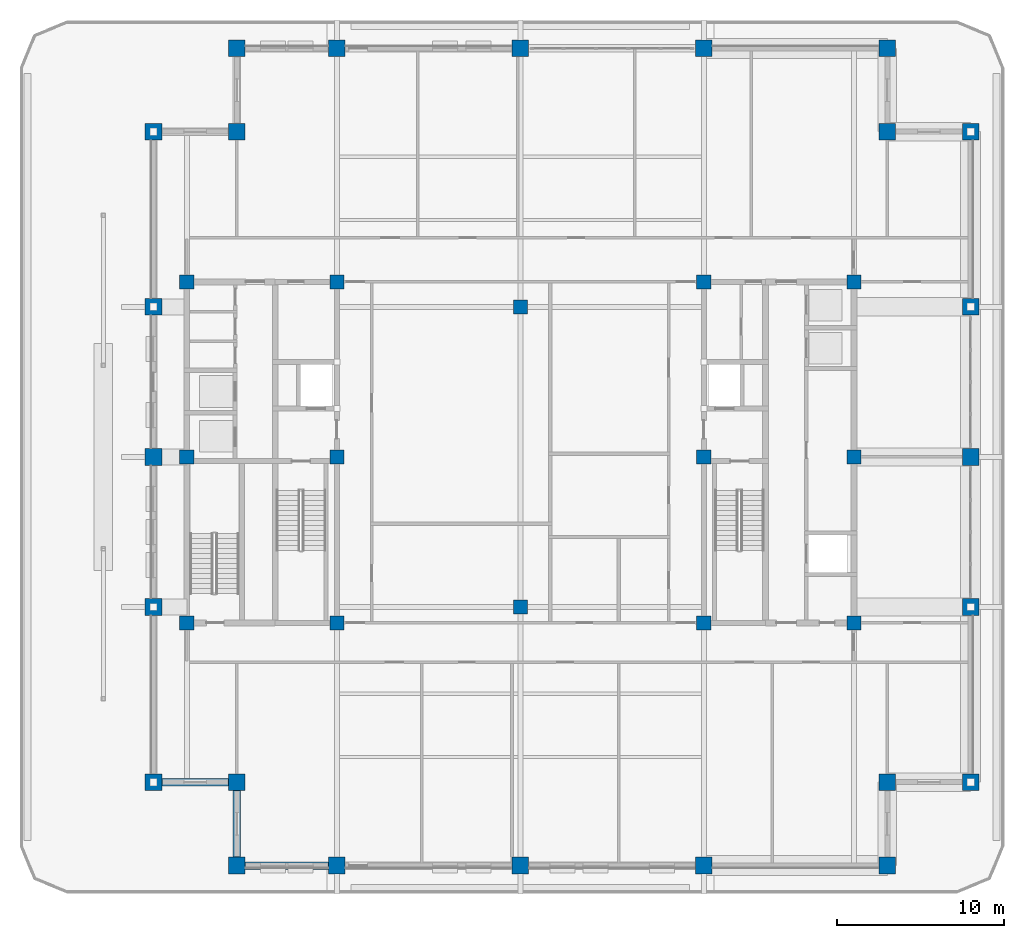
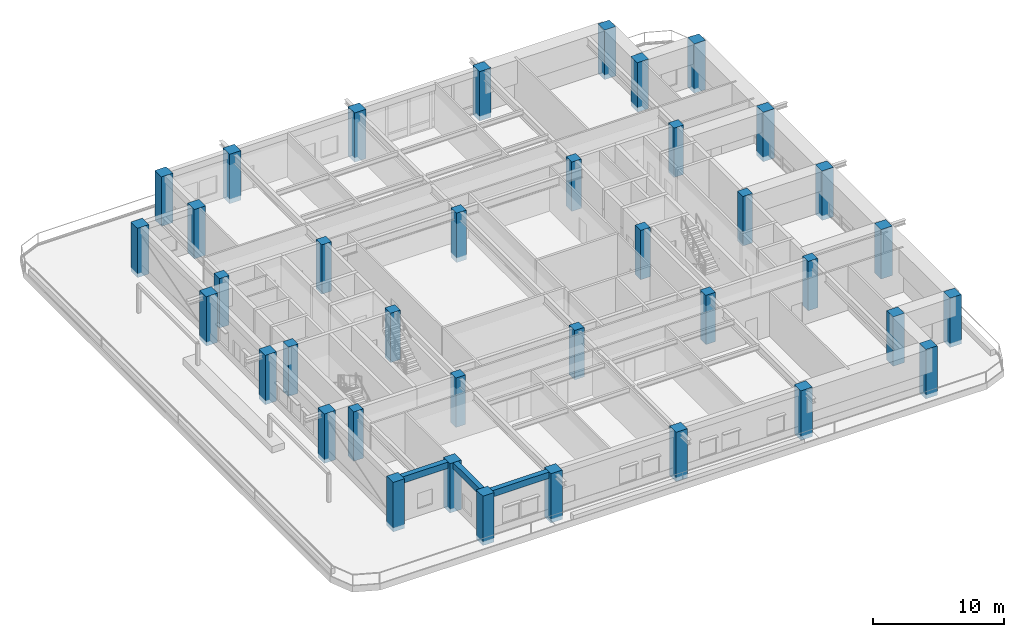
# One storey, part 1 of 20: 38 columns, 3 beams.
"""IFC4 building model written with IfcOpenShell, lengths in metres."""

from ifc_helpers import new_model, si_unit, direction, frame, origin, origin_2d, place, context, subcontext, project, spatial, rectangle, extrude, material, material_profile, profile_set, type_object, element, save


model = new_model("IFC4")

# Units and contexts
model_context = context("Model", 3, precision=1e-05, world=origin(), true_north=direction((0.0, 1.0)))
body_context = subcontext(model_context, "Body", "Model", "MODEL_VIEW")
ifc_project = project(units=[si_unit("LENGTHUNIT", "METRE"), si_unit("AREAUNIT", "SQUARE_METRE"), si_unit("VOLUMEUNIT", "CUBIC_METRE"), si_unit("PLANEANGLEUNIT", "RADIAN"), si_unit("MASSUNIT", "GRAM", prefix="KILO")], contexts=[model_context])

# Site, building, storey
site_placement = place(None, origin())
site = spatial("IfcSite", under=ifc_project, at=site_placement, CompositionType="ELEMENT")
building_placement = place(site_placement, origin())
building = spatial("IfcBuilding", under=site, at=building_placement, Name="Zulmaris Gate Convention Tower", CompositionType="ELEMENT")
storey_placement = place(building_placement, frame((0.0, 0.0, 158.23974609375)))
storey = spatial("IfcBuildingStorey", under=building, at=storey_placement, Name="L40", CompositionType="ELEMENT", Elevation=158.23974609375)

# Columns
ifc_material_1 = material(Name="Concrete C60/75", Category="concrete")
ifc_material_profile_1 = material_profile(ifc_material_1, rectangle(XDim=1.0, YDim=1.0, at=origin_2d()), Name="RC COL 1000x1000")
ifc_profile_set_1 = profile_set([ifc_material_profile_1], Name="Concrete C60/75")
column_type_1 = type_object("IfcColumnType", Name="COL-RC1000", PredefinedType="COLUMN", material=ifc_profile_set_1)
for number, where, z_axis, x_axis, name in (
    (1, (-17.0, -24.5, -0.425048828125), (0.0, 0.0, 1.0), (1.0, 0.0, 0.0), "L40 Column PT--17.00_-24.50"),
    (2, (-11.0, -24.5, -0.425048828125), (0.0, 0.0, 1.0), (1.0, 0.0, 0.0), "L40 Column PT--11.00_-24.50"),
    (3, (0.0, -24.5, -0.425048828125), (0.0, 0.0, 1.0), (1.0, 0.0, 0.0), "L40 Column PT-+0.00_-24.50"),
    (4, (11.0, -24.5, -0.425048828125), (0.0, 0.0, 1.0), (1.0, 0.0, 0.0), "L40 Column PT-+11.00_-24.50"),
    (5, (22.0, -24.5, -0.425048828125), (0.0, 0.0, 1.0), (1.0, 0.0, 0.0), "L40 Column PT-+22.00_-24.50"),
    (6, (-17.0, 24.5, -0.425048828125), (0.0, 0.0, 1.0), (1.0, 0.0, 0.0), "L40 Column PT--17.00_+24.50"),
    (7, (-11.0, 24.5, -0.425048828125), (0.0, 0.0, 1.0), (1.0, 0.0, 0.0), "L40 Column PT--11.00_+24.50"),
    (8, (0.0, 24.5, -0.425048828125), (0.0, 0.0, 1.0), (1.0, 0.0, 0.0), "L40 Column PT-+0.00_+24.50"),
    (9, (11.0, 24.5, -0.425048828125), (0.0, 0.0, 1.0), (1.0, 0.0, 0.0), "L40 Column PT-+11.00_+24.50"),
    (10, (22.0, 24.5, -0.425048828125), (0.0, 0.0, 1.0), (1.0, 0.0, 0.0), "L40 Column PT-+22.00_+24.50"),
    (11, (-22.0, -19.5, -0.425048828125), (0.0, 0.0, 1.0), (1.0, 0.0, 0.0), "L40 Column PT--22.00_-19.50"),
    (12, (-22.0, -9.0, -0.425048828125), (0.0, 0.0, 1.0), (1.0, 0.0, 0.0), "L40 Column PT--22.00_-9.00"),
    (13, (-22.0, 0.0, -0.425048828125), (0.0, 0.0, 1.0), (1.0, 0.0, 0.0), "L40 Column PT--22.00_+0.00"),
    (14, (-22.0, 9.0, -0.425048828125), (0.0, 0.0, 1.0), (1.0, 0.0, 0.0), "L40 Column PT--22.00_+9.00"),
    (15, (-22.0, 19.5, -0.425048828125), (0.0, 0.0, 1.0), (1.0, 0.0, 0.0), "L40 Column PT--22.00_+19.50"),
    (16, (27.0, -19.5, -0.425048828125), (0.0, 0.0, 1.0), (1.0, 0.0, 0.0), "L40 Column PT-+27.00_-19.50"),
    (17, (27.0, -9.0, -0.425048828125), (0.0, 0.0, 1.0), (1.0, 0.0, 0.0), "L40 Column PT-+27.00_-9.00"),
    (18, (27.0, 0.0, -0.425048828125), (0.0, 0.0, 1.0), (1.0, 0.0, 0.0), "L40 Column PT-+27.00_+0.00"),
    (19, (27.0, 9.0, -0.425048828125), (0.0, 0.0, 1.0), (1.0, 0.0, 0.0), "L40 Column PT-+27.00_+9.00"),
    (20, (27.0, 19.5, -0.425048828125), (0.0, 0.0, 1.0), (1.0, 0.0, 0.0), "L40 Column PT-+27.00_+19.50"),
    (21, (-17.0, -19.5, -0.425048828125), (0.0, 0.0, 1.0), (1.0, 0.0, 0.0), "L40 Column PT--17.00_-19.50"),
    (22, (22.0, -19.5, -0.425048828125), (0.0, 0.0, 1.0), (1.0, 0.0, 0.0), "L40 Column PT-+22.00_-19.50"),
    (23, (22.0, 19.5, -0.425048828125), (0.0, 0.0, 1.0), (1.0, 0.0, 0.0), "L40 Column PT-+22.00_+19.50"),
    (24, (-17.0, 19.5, -0.425048828125), (0.0, 0.0, 1.0), (1.0, 0.0, 0.0), "L40 Column PT--17.00_+19.50"),
):
    element("IfcColumn", number, at=place(storey_placement, frame(where, z_axis=z_axis, x_axis=x_axis)), inside=storey, type_object=column_type_1, Name=name, PredefinedType="COLUMN", context=body_context, shape_type="SweptSolid", body=[
        extrude(rectangle(XDim=1.0, YDim=1.0, at=origin_2d()), origin(), (0.0, 0.0, 1.0), 4.59521484375),
    ])
ifc_material_profile_2 = material_profile(ifc_material_1, rectangle(XDim=0.85009765625, YDim=0.85009765625, at=origin_2d()), Name="RC COL 850x850")
ifc_profile_set_2 = profile_set([ifc_material_profile_2], Name="Concrete C60/75")
column_type_2 = type_object("IfcColumnType", Name="COL-RC850", PredefinedType="COLUMN", material=ifc_profile_set_2)
for number, where, z_axis, x_axis, name in (
    (25, (-20.0, -9.949951171875, -0.425048828125), (0.0, 0.0, 1.0), (1.0, 0.0, 0.0), "L40 Column IN--20.00_-9.95"),
    (26, (-20.0, 10.5, -0.425048828125), (0.0, 0.0, 1.0), (1.0, 0.0, 0.0), "L40 Column IN--20.00_+10.50"),
    (27, (-11.0, -9.949951171875, -0.425048828125), (0.0, 0.0, 1.0), (1.0, 0.0, 0.0), "L40 Column IN--11.00_-9.95"),
    (28, (-11.0, 0.0, -0.425048828125), (0.0, 0.0, 1.0), (1.0, 0.0, 0.0), "L40 Column IN--11.00_+0.00"),
    (29, (-11.0, 10.5, -0.425048828125), (0.0, 0.0, 1.0), (1.0, 0.0, 0.0), "L40 Column IN--11.00_+10.50"),
    (30, (11.0, -9.949951171875, -0.425048828125), (0.0, 0.0, 1.0), (1.0, 0.0, 0.0), "L40 Column IN-+11.00_-9.95"),
    (31, (11.0, 0.0, -0.425048828125), (0.0, 0.0, 1.0), (1.0, 0.0, 0.0), "L40 Column IN-+11.00_+0.00"),
    (32, (11.0, 10.5, -0.425048828125), (0.0, 0.0, 1.0), (1.0, 0.0, 0.0), "L40 Column IN-+11.00_+10.50"),
    (33, (20.0, -9.949951171875, -0.425048828125), (0.0, 0.0, 1.0), (1.0, 0.0, 0.0), "L40 Column IN-+20.00_-9.95"),
    (34, (20.0, 10.5, -0.425048828125), (0.0, 0.0, 1.0), (1.0, 0.0, 0.0), "L40 Column IN-+20.00_+10.50"),
    (35, (0.0, -9.0, -0.425048828125), (0.0, 0.0, 1.0), (1.0, 0.0, 0.0), "L40 Column IN-+0.00_-9.00"),
    (36, (0.0, 9.0, -0.425048828125), (0.0, 0.0, 1.0), (1.0, 0.0, 0.0), "L40 Column IN-+0.00_+9.00"),
    (37, (-20.0, 0.0, -0.425048828125), (0.0, 0.0, 1.0), (1.0, 0.0, 0.0), "L40 Column IN--20.00_+0.00"),
    (38, (20.0, 0.0, -0.425048828125), (0.0, 0.0, 1.0), (1.0, 0.0, 0.0), "L40 Column IN-+20.00_+0.00"),
):
    element("IfcColumn", number, at=place(storey_placement, frame(where, z_axis=z_axis, x_axis=x_axis)), inside=storey, type_object=column_type_2, Name=name, PredefinedType="COLUMN", context=body_context, shape_type="SweptSolid", body=[
        extrude(rectangle(XDim=0.85009765625, YDim=0.85009765625, at=origin_2d()), origin(), (0.0, 0.0, 1.0), 4.59521484375),
    ])

# Beams
ifc_material_2 = material(Name="Precast concrete C50/60", Category="concrete")
ifc_material_profile_3 = material_profile(ifc_material_2, rectangle(XDim=0.449951171875, YDim=0.60009765625, at=origin_2d()), Name="RC SPANDREL 450x600")
ifc_profile_set_3 = profile_set([ifc_material_profile_3], Name="Precast concrete C50/60")
beam_type = type_object("IfcBeamType", Name="BM-SP450x600", PredefinedType="SPANDREL", material=ifc_profile_set_3)
beam_placement = place(storey_placement, frame((-17.0, -24.5, 3.8701171875), z_axis=(1.0, 0.0, 0.0), x_axis=(0.0, 1.0, 0.0)))
element("IfcBeam", 39, at=beam_placement, inside=storey, type_object=beam_type, Name="L40 Spandrel SP-L40-01", PredefinedType="SPANDREL", context=body_context, shape_type="SweptSolid", body=[
    extrude(rectangle(XDim=0.449951171875, YDim=0.60009765625, at=origin_2d()), origin(), (0.0, 0.0, 1.0), 6.0),
])
for number, where, z_axis, x_axis, name in (
    (40, (-22.0, -19.5, 3.8701171875), (1.0, 0.0, 0.0), (0.0, 1.0, 0.0), "L40 Spandrel SP-L40-23"),
    (41, (-17.0, -19.5, 3.8701171875), (0.0, -1.0, 0.0), (1.0, 0.0, 0.0), "L40 Spandrel SP-L40-24"),
):
    element("IfcBeam", number, at=place(storey_placement, frame(where, z_axis=z_axis, x_axis=x_axis)), inside=storey, type_object=beam_type, Name=name, PredefinedType="SPANDREL", context=body_context, shape_type="SweptSolid", body=[
        extrude(rectangle(XDim=0.449951171875, YDim=0.60009765625, at=origin_2d()), origin(), (0.0, 0.0, 1.0), 5.0),
    ])

save(model, "model.ifc")
